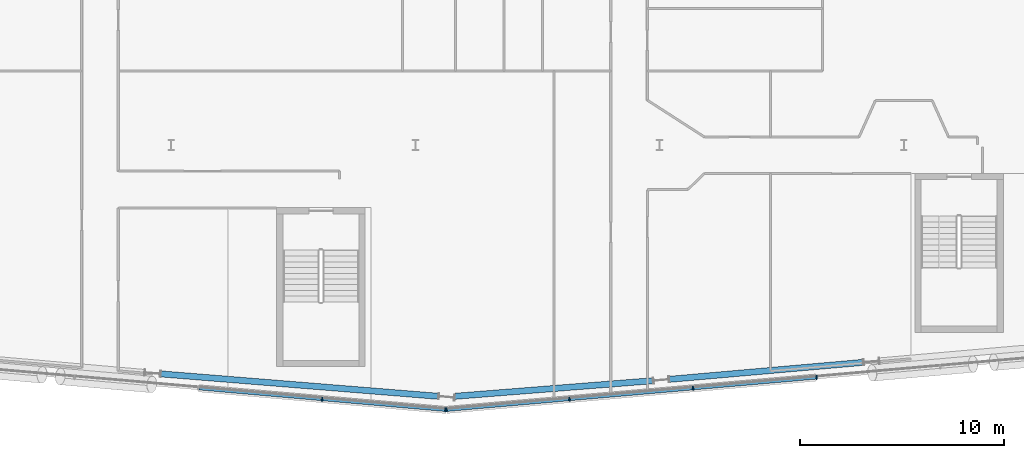
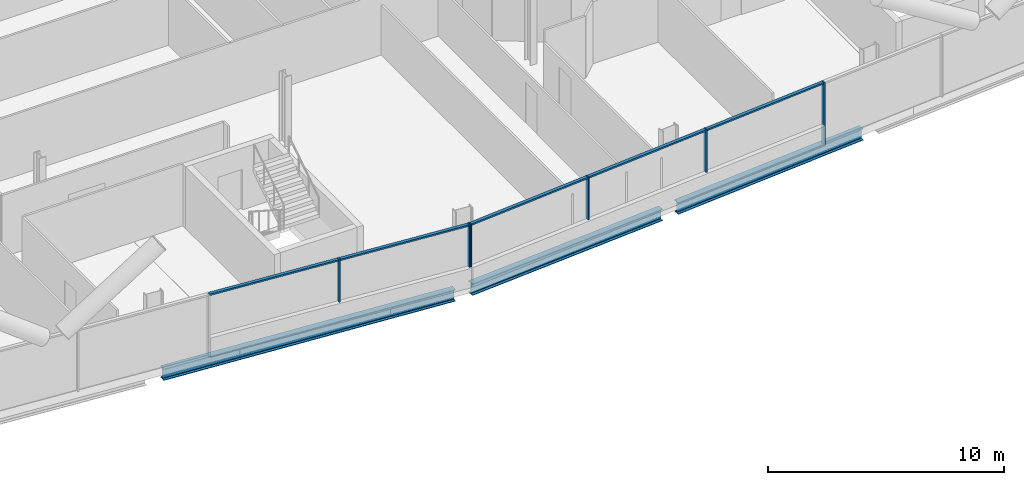
# One storey, part 7 of 27: 11 members, 3 beams, 2 elements without a shape of their own.
"""IFC4 building model written with IfcOpenShell, lengths in metres."""

from ifc_helpers import new_model, si_unit, direction, frame, origin, origin_2d, place, context, subcontext, project, spatial, rectangle, i_section, extrude, material, material_profile, profile_set, type_object, element, aggregate, save


model = new_model("IFC4")

# Units and contexts
model_context = context("Model", 3, precision=1e-05, world=origin(), true_north=direction((0.0, 1.0)))
body_context = subcontext(model_context, "Body", "Model", "MODEL_VIEW")
ifc_project = project(units=[si_unit("LENGTHUNIT", "METRE"), si_unit("AREAUNIT", "SQUARE_METRE"), si_unit("VOLUMEUNIT", "CUBIC_METRE"), si_unit("PLANEANGLEUNIT", "RADIAN"), si_unit("MASSUNIT", "GRAM", prefix="KILO")], contexts=[model_context])

# Site, building, storey
site_placement = place(None, origin())
site = spatial("IfcSite", under=ifc_project, at=site_placement, CompositionType="ELEMENT")
building_placement = place(site_placement, origin())
building = spatial("IfcBuilding", under=site, at=building_placement, Name="Wharfspan Tower", CompositionType="ELEMENT")
storey_placement = place(building_placement, frame((0.0, 0.0, 118.300049)))
storey = spatial("IfcBuildingStorey", under=building, at=storey_placement, Name="L27", CompositionType="ELEMENT", Elevation=118.300049)

# Beams
ifc_material_1 = material(Name="Steel S355J2", Category="steel")
ifc_material_profile_1 = material_profile(ifc_material_1, i_section(OverallWidth=0.300049, OverallDepth=0.600098, WebThickness=0.015381, FlangeThickness=0.030029, FilletRadius=0.0271, at=origin_2d()))
ifc_profile_set_1 = profile_set([ifc_material_profile_1], Name="Steel S355J2")
beam_type = type_object("IfcBeamType", Name="Edge beam HEB 600", PredefinedType="SPANDREL", material=ifc_profile_set_1)
beam_1_placement = place(storey_placement, frame((35.490967, 0.252197, -0.699951), z_axis=(0.996756, -0.080488, 0.0), x_axis=(0.080488, 0.996756, 0.0)))
element("IfcBeam", 1, at=beam_1_placement, inside=storey, type_object=beam_type, Name="Edge beam S1 L27 PS1.3 to PS1.4", PredefinedType="SPANDREL", context=body_context, shape_type="SweptSolid", body=[
    extrude(i_section(OverallWidth=0.300049, OverallDepth=0.600098, WebThickness=0.015381, FlangeThickness=0.030029, FilletRadius=0.0271, at=origin_2d()), origin(), (0.0, 0.0, 1.0), 13.683105),
])
beam_2_placement = place(storey_placement, frame((49.938721, -0.849365, -0.699951), z_axis=(0.996913, 0.078508, 0.0), x_axis=(-0.078508, 0.996913, 0.0)))
element("IfcBeam", 2, at=beam_2_placement, inside=storey, type_object=beam_type, Name="Edge beam S2 L27 PS1.4 to PS2.1", PredefinedType="SPANDREL", context=body_context, shape_type="SweptSolid", body=[
    extrude(i_section(OverallWidth=0.300049, OverallDepth=0.600098, WebThickness=0.015381, FlangeThickness=0.030029, FilletRadius=0.0271, at=origin_2d()), origin(), (0.0, 0.0, 1.0), 9.767578),
])
beam_3_placement = place(storey_placement, frame((60.479492, -0.015625, -0.699951), z_axis=(0.996194, 0.087164, 0.0), x_axis=(-0.087164, 0.996194, 0.0)))
element("IfcBeam", 3, at=beam_3_placement, inside=storey, type_object=beam_type, Name="Edge beam S2 L27 PS2.1 to PS2.2", PredefinedType="SPANDREL", context=body_context, shape_type="SweptSolid", body=[
    extrude(i_section(OverallWidth=0.300049, OverallDepth=0.600098, WebThickness=0.015381, FlangeThickness=0.030029, FilletRadius=0.0271, at=origin_2d()), origin(), (0.0, 0.0, 1.0), 9.55957),
])

# Curtain wall, members
ifc_material_2 = material(Name="Aluminium 6063-T6", Category="aluminium")
curtain_wall_type = type_object("IfcCurtainWallType", Name="CURTAIN WALL FACETED FRONT", PredefinedType="NOTDEFINED", material=ifc_material_2)
curtain_wall_1_placement = place(storey_placement, origin())
curtain_wall_1 = element("IfcCurtainWall", 4, at=curtain_wall_1_placement, inside=storey, type_object=curtain_wall_type, Name="Curtain wall S1", PredefinedType="NOTDEFINED")
ifc_material_profile_2 = material_profile(ifc_material_2, rectangle(XDim=0.199951, YDim=0.060059, at=origin_2d()))
ifc_profile_set_2 = profile_set([ifc_material_profile_2], Name="Aluminium 6063-T6")
member_type_1 = type_object("IfcMemberType", Name="MULLION FACETED FRONT 60x200", PredefinedType="MULLION", material=ifc_profile_set_2)
member_1_placement = place(storey_placement, frame((43.416748, -0.986084, 1.0), z_axis=(0.0, 0.0, 1.0), x_axis=(0.087156, 0.996198, 0.0)))
member_1 = element("IfcMember", 5, at=member_1_placement, type_object=member_type_1, Name="Curtain wall S1 mullion 6", PredefinedType="MULLION", context=body_context, shape_type="SweptSolid", body=[
    extrude(rectangle(XDim=0.199951, YDim=0.060059, at=origin_2d()), origin(), (0.0, 0.0, 1.0), 2.199951),
])
member_2_placement = place(storey_placement, frame((49.470215, -1.515625, 1.0), z_axis=(0.0, 0.0, 1.0), x_axis=(0.087156, 0.996198, 0.0)))
member_2 = element("IfcMember", 6, at=member_2_placement, type_object=member_type_1, Name="Curtain wall S1 mullion 7", PredefinedType="MULLION", context=body_context, shape_type="SweptSolid", body=[
    extrude(rectangle(XDim=0.199951, YDim=0.060059, at=origin_2d()), origin(), (0.0, 0.0, 1.0), 2.199951),
])

curtain_wall_2_placement = place(storey_placement, origin())
curtain_wall_2 = element("IfcCurtainWall", 7, at=curtain_wall_2_placement, inside=storey, type_object=curtain_wall_type, Name="Curtain wall S2", PredefinedType="NOTDEFINED")
member_3_placement = place(storey_placement, frame((49.529785, -1.515625, 1.0), z_axis=(0.0, 0.0, 1.0), x_axis=(-0.087156, 0.996198, 0.0)))
member_3 = element("IfcMember", 8, at=member_3_placement, type_object=member_type_1, Name="Curtain wall S2 mullion 1", PredefinedType="MULLION", context=body_context, shape_type="SweptSolid", body=[
    extrude(rectangle(XDim=0.199951, YDim=0.060059, at=origin_2d()), origin(), (0.0, 0.0, 1.0), 2.199951),
])
member_4_placement = place(storey_placement, frame((55.571533, -0.987061, 1.0), z_axis=(0.0, 0.0, 1.0), x_axis=(-0.087156, 0.996198, 0.0)))
member_4 = element("IfcMember", 9, at=member_4_placement, type_object=member_type_1, Name="Curtain wall S2 mullion 2", PredefinedType="MULLION", context=body_context, shape_type="SweptSolid", body=[
    extrude(rectangle(XDim=0.199951, YDim=0.060059, at=origin_2d()), origin(), (0.0, 0.0, 1.0), 2.199951),
])
member_5_placement = place(storey_placement, frame((61.642822, -0.455811, 1.0), z_axis=(0.0, 0.0, 1.0), x_axis=(-0.087156, 0.996198, 0.0)))
member_5 = element("IfcMember", 10, at=member_5_placement, type_object=member_type_1, Name="Curtain wall S2 mullion 3", PredefinedType="MULLION", context=body_context, shape_type="SweptSolid", body=[
    extrude(rectangle(XDim=0.199951, YDim=0.060059, at=origin_2d()), origin(), (0.0, 0.0, 1.0), 2.199951),
])
member_6_placement = place(storey_placement, frame((67.714355, 0.075195, 0.0), z_axis=(0.0, 0.0, 1.0), x_axis=(-0.087156, 0.996198, 0.0)))
member_6 = element("IfcMember", 11, at=member_6_placement, type_object=member_type_1, Name="Curtain wall S2 mullion 4", PredefinedType="MULLION", context=body_context, shape_type="SweptSolid", body=[
    extrude(rectangle(XDim=0.199951, YDim=0.060059, at=origin_2d()), origin(), (0.0, 0.0, 1.0), 3.199951),
])

# Member
ifc_material_profile_3 = material_profile(ifc_material_2, rectangle(XDim=0.159912, YDim=0.080078, at=origin_2d()))
ifc_profile_set_3 = profile_set([ifc_material_profile_3], Name="Aluminium 6063-T6")
member_type_2 = type_object("IfcMemberType", Name="TRANSOM FACETED FRONT 80x160", PredefinedType="USERDEFINED", material=ifc_profile_set_3)
member_7_placement = place(storey_placement, frame((37.363281, -0.456543, 3.159912), z_axis=(0.996197, -0.087135, 0.0), x_axis=(0.087135, 0.996197, 0.0)))
member_7 = element("IfcMember", 12, at=member_7_placement, type_object=member_type_2, Name="Curtain wall S1 transom 5", ObjectType="TRANSOM", PredefinedType="USERDEFINED", context=body_context, shape_type="SweptSolid", body=[
    extrude(rectangle(XDim=0.159912, YDim=0.080078, at=origin_2d()), origin(), (0.0, 0.0, 1.0), 6.046387),
])

member_8_placement = place(storey_placement, frame((43.446533, -0.98877, 3.159912), z_axis=(0.996198, -0.087122, 0.0), x_axis=(0.087122, 0.996198, 0.0)))
member_8 = element("IfcMember", 13, at=member_8_placement, type_object=member_type_2, Name="Curtain wall S1 transom 6", ObjectType="TRANSOM", PredefinedType="USERDEFINED", context=body_context, shape_type="SweptSolid", body=[
    extrude(rectangle(XDim=0.159912, YDim=0.080078, at=origin_2d()), origin(), (0.0, 0.0, 1.0), 6.016602),
])

aggregate(curtain_wall_1, [member_1, member_2, member_7, member_8])

member_9_placement = place(storey_placement, frame((49.559814, -1.512939, 3.159912), z_axis=(0.996197, 0.087133, 0.0), x_axis=(-0.087133, 0.996197, 0.0)))
member_9 = element("IfcMember", 14, at=member_9_placement, type_object=member_type_2, Name="Curtain wall S2 transom 1", ObjectType="TRANSOM", PredefinedType="USERDEFINED", context=body_context, shape_type="SweptSolid", body=[
    extrude(rectangle(XDim=0.159912, YDim=0.080078, at=origin_2d()), origin(), (0.0, 0.0, 1.0), 6.004639),
])

member_10_placement = place(storey_placement, frame((55.601318, -0.984375, 3.159912), z_axis=(0.996196, 0.087143, 0.0), x_axis=(-0.087143, 0.996196, 0.0)))
member_10 = element("IfcMember", 15, at=member_10_placement, type_object=member_type_2, Name="Curtain wall S2 transom 2", ObjectType="TRANSOM", PredefinedType="USERDEFINED", context=body_context, shape_type="SweptSolid", body=[
    extrude(rectangle(XDim=0.159912, YDim=0.080078, at=origin_2d()), origin(), (0.0, 0.0, 1.0), 6.034668),
])

member_11_placement = place(storey_placement, frame((61.672852, -0.453369, 3.159912), z_axis=(0.996192, 0.087187, 0.0), x_axis=(-0.087187, 0.996192, 0.0)))
member_11 = element("IfcMember", 16, at=member_11_placement, type_object=member_type_2, Name="Curtain wall S2 transom 3", ObjectType="TRANSOM", PredefinedType="USERDEFINED", context=body_context, shape_type="SweptSolid", body=[
    extrude(rectangle(XDim=0.159912, YDim=0.080078, at=origin_2d()), origin(), (0.0, 0.0, 1.0), 6.034424),
])

aggregate(curtain_wall_2, [member_3, member_4, member_5, member_6, member_9, member_10, member_11])

save(model, "model.ifc")
